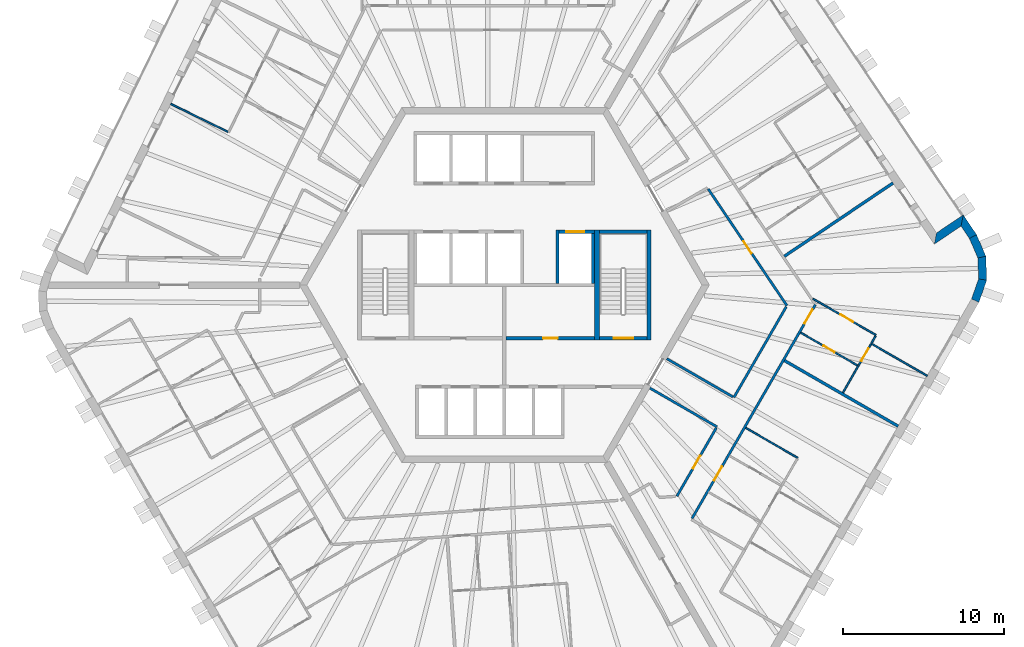
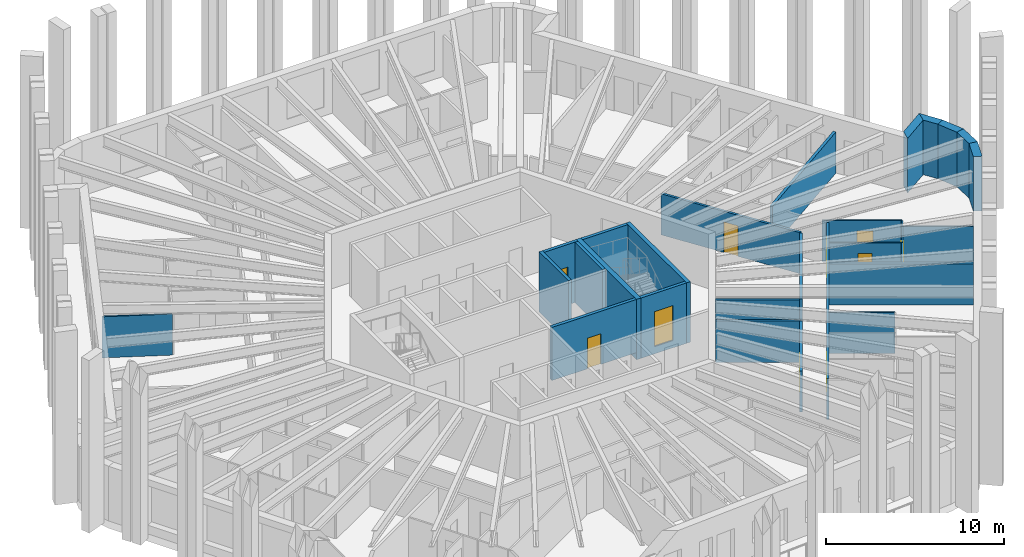
# One storey, part 7 of 13: 29 walls, 10 doors, 10 openings.
"""IFC4 building model written with IfcOpenShell, lengths in metres."""

from ifc_helpers import new_model, si_unit, direction, frame, frame_2d, origin, place, context, subcontext, project, spatial, polyline, rectangle, outline, extrude, material, layer, layer_set, type_object, element, fill, save


model = new_model("IFC4")

# Units and contexts
model_context = context("Model", 3, precision=1e-05, world=origin(), true_north=direction((0.0, 1.0)))
body_context = subcontext(model_context, "Body", "Model", "MODEL_VIEW")
ifc_project = project(units=[si_unit("LENGTHUNIT", "METRE"), si_unit("AREAUNIT", "SQUARE_METRE"), si_unit("VOLUMEUNIT", "CUBIC_METRE"), si_unit("PLANEANGLEUNIT", "RADIAN"), si_unit("MASSUNIT", "GRAM", prefix="KILO")], contexts=[model_context])

# Site, building, storey
site_placement = place(None, origin())
site = spatial("IfcSite", under=ifc_project, at=site_placement, CompositionType="ELEMENT")
building_placement = place(site_placement, origin())
building = spatial("IfcBuilding", under=site, at=building_placement, Name="Tarnside Tower", CompositionType="ELEMENT")
storey_placement = place(building_placement, frame((0.0, 0.0, 256.199951171875)))
storey = spatial("IfcBuildingStorey", under=building, at=storey_placement, Name="L61", CompositionType="ELEMENT", Elevation=256.199951171875)

# Wall
ifc_material_1 = material(Name="Gypsum board partition on steel studs", Category="steel")
ifc_layer_1 = layer(ifc_material_1, 0.10009765625)
ifc_layer_set_1 = layer_set([ifc_layer_1], Name="Bathroom wall 100")
wall_type_1 = type_object("IfcWallType", Name="Bathroom wall 100", PredefinedType="PARTITIONING", material=ifc_layer_set_1)
wall_1_placement = place(storey_placement, frame((14.9541015625, -8.8486328125, 0.0), z_axis=(0.0, 0.0, 1.0), x_axis=(0.866028424924, -0.499994767197, 0.0)))
element("IfcWall", 1, at=wall_1_placement, inside=storey, type_object=wall_type_1, Name="Bathroom wall 20141", PredefinedType="PARTITIONING", context=body_context, shape_type="SweptSolid", body=[
    extrude(rectangle(XDim=3.72509765625, YDim=0.10009765625, at=frame_2d((1.862548828125, 0.0))), origin(), (0.0, 0.0, 1.0), 2.823486328125),
])

# Wall, opening, door
wall_2_placement = place(storey_placement, frame((18.359619140625, -2.9501953125, 0.0), z_axis=(0.0, 0.0, 1.0), x_axis=(0.866019999656, -0.500009360108, 0.0)))
wall_2 = element("IfcWall", 2, at=wall_2_placement, inside=storey, type_object=wall_type_1, Name="Bathroom wall 20156", PredefinedType="PARTITIONING", context=body_context, shape_type="SweptSolid", body=[
    extrude(rectangle(XDim=4.125, YDim=0.10009765625, at=frame_2d((2.0625, 0.0))), origin(), (0.0, 0.0, 1.0), 2.823486328125),
])
opening_1_placement = place(wall_2_placement, frame((1.625, 0.0, 0.0)))
opening_1 = element("IfcOpeningElement", 3, at=opening_1_placement, cuts=wall_2, Name="Opening D-B1", PredefinedType="OPENING", context=body_context, shape_type="SweptSolid", body=[
    extrude(rectangle(XDim=0.800048828125, YDim=2.10009765625, at=frame_2d((0.39990234375, 1.050048828125))), frame((0.0, 0.06005859375, 0.0), z_axis=(0.0, -1.0, 0.0), x_axis=(1.0, 0.0, 0.0)), (0.0, 0.0, 1.0), 0.1201171875),
])
ifc_material_2 = material(Name="Timber door leaf", Category="wood")
door_type_1 = type_object("IfcDoorType", Name="Bathroom door 800", OperationType="NOTDEFINED", PredefinedType="DOOR", material=ifc_material_2)
door_1_placement = place(opening_1_placement, origin())
door_1 = element("IfcDoor", 4, at=door_1_placement, inside=storey, type_object=door_type_1, Name="Bathroom door 20062", OperationType="SINGLE_SWING_RIGHT", OverallHeight=2.10009765625, OverallWidth=0.800048828125, PredefinedType="DOOR", context=body_context, shape_type="SweptSolid", body=[
    extrude(rectangle(XDim=0.800048828125, YDim=2.10009765625, at=frame_2d((0.39990234375, 1.050048828125))), frame((0.0, 0.02490234375, 0.0), z_axis=(0.0, -1.0, 0.0), x_axis=(1.0, 0.0, 0.0)), (0.0, 0.0, 1.0), 0.050048828125),
])
fill(opening_1, door_1)

# Wall
wall_3_placement = place(storey_placement, frame((20.97705078125, -6.666748046875, 0.0), z_axis=(0.0, 0.0, 1.0), x_axis=(0.49994353734, 0.866058000062, 0.0)))
element("IfcWall", 5, at=wall_3_placement, inside=storey, type_object=wall_type_1, Name="Bathroom wall 20158", PredefinedType="PARTITIONING", context=body_context, shape_type="SweptSolid", body=[
    extrude(rectangle(XDim=1.911865234375, YDim=0.10009765625, at=frame_2d((0.9560546875, 0.0))), origin(), (0.0, 0.0, 1.0), 2.823486328125),
])

# Wall, opening, door
ifc_material_3 = material(Name="Concrete C40/50", Category="concrete")
ifc_layer_2 = layer(ifc_material_3, 0.199951171875)
ifc_layer_set_2 = layer_set([ifc_layer_2], Name="Core room partition 200 C40/50")
wall_type_2 = type_object("IfcWallType", Name="Core room partition 200 C40/50", PredefinedType="PARTITIONING", material=ifc_layer_set_2)
wall_4_placement = place(storey_placement, frame((0.10009765625, -3.300048828125, 0.0), z_axis=(0.0, 0.0, 1.0), x_axis=(1.0, 0.0, 0.0)))
wall_4 = element("IfcWall", 6, at=wall_4_placement, inside=storey, type_object=wall_type_2, Name="L61 core partition R3S1", PredefinedType="PARTITIONING", context=body_context, shape_type="SweptSolid", body=[
    extrude(rectangle(XDim=5.5, YDim=0.199951171875, at=frame_2d((2.75, 0.0))), origin(), (0.0, 0.0, 1.0), 3.650146484375),
])
opening_2_placement = place(wall_4_placement, frame((2.300048828125, 0.0, 0.0)))
opening_2 = element("IfcOpeningElement", 7, at=opening_2_placement, cuts=wall_4, Name="Opening CD-room", PredefinedType="OPENING", context=body_context, shape_type="SweptSolid", body=[
    extrude(rectangle(XDim=0.89990234375, YDim=2.10009765625, at=frame_2d((0.449951171875, 1.050048828125))), frame((0.0, 0.10986328125, 0.0), z_axis=(0.0, -1.0, 0.0), x_axis=(1.0, 0.0, 0.0)), (0.0, 0.0, 1.0), 0.219970703125),
])
ifc_material_4 = material(Name="Steel fire door", Category="steel")
door_type_2 = type_object("IfcDoorType", Name="Room door FD60 900x2100", OperationType="NOTDEFINED", PredefinedType="DOOR", material=ifc_material_4)
door_2_placement = place(opening_2_placement, origin())
door_2 = element("IfcDoor", 8, at=door_2_placement, inside=storey, type_object=door_type_2, Name="L61 core room door SR1", OperationType="SINGLE_SWING_LEFT", OverallHeight=2.10009765625, OverallWidth=0.89990234375, PredefinedType="DOOR", context=body_context, shape_type="SweptSolid", body=[
    extrude(rectangle(XDim=0.89990234375, YDim=2.10009765625, at=frame_2d((0.449951171875, 1.050048828125))), frame((0.0, 0.02490234375, 0.0), z_axis=(0.0, -1.0, 0.0), x_axis=(1.0, 0.0, 0.0)), (0.0, 0.0, 1.0), 0.050048828125),
])
fill(opening_2, door_2)

# Wall, openings, doors
ifc_layer_3 = layer(ifc_material_1, 0.14990234375)
ifc_layer_set_3 = layer_set([ifc_layer_3], Name="Corridor wall 150 EI 60")
wall_type_3 = type_object("IfcWallType", Name="Corridor wall 150 EI 60", PredefinedType="PARTITIONING", material=ifc_layer_set_3)
wall_5_placement = place(storey_placement, frame((11.626708984375, -14.4619140625, 0.0), z_axis=(0.0, 0.0, 1.0), x_axis=(0.499994634027, 0.866028501808, 0.0)))
wall_5 = element("IfcWall", 9, at=wall_5_placement, inside=storey, type_object=wall_type_3, Name="Corridor wall 20052", PredefinedType="PARTITIONING", context=body_context, shape_type="SweptSolid", body=[
    extrude(rectangle(XDim=15.296142578125, YDim=0.14990234375, at=frame_2d((7.64794921875, 0.0))), origin(), (0.0, 0.0, 1.0), 2.823486328125),
])
opening_3_placement = place(wall_5_placement, frame((2.72509765625, 0.0, 0.0)))
opening_3 = element("IfcOpeningElement", 10, at=opening_3_placement, cuts=wall_5, Name="Opening D-E1", PredefinedType="OPENING", context=body_context, shape_type="SweptSolid", body=[
    extrude(rectangle(XDim=1.0, YDim=2.10009765625, at=frame_2d((0.5, 1.050048828125))), frame((0.0, 0.0849609375, 0.0), z_axis=(0.0, -1.0, 0.0), x_axis=(1.0, 0.0, 0.0)), (0.0, 0.0, 1.0), 0.169921875),
])
opening_4_placement = place(wall_5_placement, frame((13.93603515625, 0.0, 0.0)))
opening_4 = element("IfcOpeningElement", 11, at=opening_4_placement, cuts=wall_5, Name="Opening D-E1", PredefinedType="OPENING", context=body_context, shape_type="SweptSolid", body=[
    extrude(rectangle(XDim=1.0, YDim=2.10009765625, at=frame_2d((0.5, 1.050048828125))), frame((0.0, 0.0849609375, 0.0), z_axis=(0.0, -1.0, 0.0), x_axis=(1.0, 0.0, 0.0)), (0.0, 0.0, 1.0), 0.169921875),
])
door_type_3 = type_object("IfcDoorType", Name="Unit entrance door 1000 FD30S", OperationType="NOTDEFINED", PredefinedType="DOOR", material=ifc_material_2)
door_3_placement = place(opening_3_placement, origin())
door_3 = element("IfcDoor", 12, at=door_3_placement, inside=storey, type_object=door_type_3, Name="Unit door 20050", OperationType="SINGLE_SWING_LEFT", OverallHeight=2.10009765625, OverallWidth=1.0, PredefinedType="DOOR", context=body_context, shape_type="SweptSolid", body=[
    extrude(rectangle(XDim=1.0, YDim=2.10009765625, at=frame_2d((0.5, 1.050048828125))), frame((0.0, 0.02490234375, 0.0), z_axis=(0.0, -1.0, 0.0), x_axis=(1.0, 0.0, 0.0)), (0.0, 0.0, 1.0), 0.050048828125),
])
fill(opening_3, door_3)
door_4_placement = place(opening_4_placement, origin())
door_4 = element("IfcDoor", 13, at=door_4_placement, inside=storey, type_object=door_type_3, Name="Unit door 20061", OperationType="SINGLE_SWING_LEFT", OverallHeight=2.10009765625, OverallWidth=1.0, PredefinedType="DOOR", context=body_context, shape_type="SweptSolid", body=[
    extrude(rectangle(XDim=1.0, YDim=2.10009765625, at=frame_2d((0.5, 1.050048828125))), frame((0.0, 0.02490234375, 0.0), z_axis=(0.0, -1.0, 0.0), x_axis=(1.0, 0.0, 0.0)), (0.0, 0.0, 1.0), 0.050048828125),
])
fill(opening_4, door_4)

# Wall, opening, door
wall_6_placement = place(storey_placement, frame((12.627197265625, 5.9580078125, 0.0), z_axis=(0.0, 0.0, 1.0), x_axis=(0.559185493191, -0.829042570804, 0.0)))
wall_6 = element("IfcWall", 14, at=wall_6_placement, inside=storey, type_object=wall_type_3, Name="Corridor wall 20070", PredefinedType="PARTITIONING", context=body_context, shape_type="SweptSolid", body=[
    extrude(rectangle(XDim=8.726806640625, YDim=0.14990234375, at=frame_2d((4.36328125, 0.0))), origin(), (0.0, 0.0, 1.0), 2.823486328125),
])
opening_5_placement = place(wall_6_placement, frame((3.913330078125, 0.0, 0.0)))
opening_5 = element("IfcOpeningElement", 15, at=opening_5_placement, cuts=wall_6, Name="Opening D-S1", PredefinedType="OPENING", context=body_context, shape_type="SweptSolid", body=[
    extrude(rectangle(XDim=0.89990234375, YDim=2.10009765625, at=frame_2d((0.449951171875, 1.050048828125))), frame((0.0, 0.0849609375, 0.0), z_axis=(0.0, -1.0, 0.0), x_axis=(1.0, 0.0, 0.0)), (0.0, 0.0, 1.0), 0.169921875),
])
door_type_4 = type_object("IfcDoorType", Name="Service room door 900 FD30S", OperationType="NOTDEFINED", PredefinedType="DOOR", material=ifc_material_2)
door_5_placement = place(opening_5_placement, origin())
door_5 = element("IfcDoor", 16, at=door_5_placement, inside=storey, type_object=door_type_4, Name="Service door 20075", OperationType="SINGLE_SWING_RIGHT", OverallHeight=2.10009765625, OverallWidth=0.89990234375, PredefinedType="DOOR", context=body_context, shape_type="SweptSolid", body=[
    extrude(rectangle(XDim=0.89990234375, YDim=2.10009765625, at=frame_2d((0.449951171875, 1.050048828125))), frame((0.0, 0.02490234375, 0.0), z_axis=(0.0, -1.0, 0.0), x_axis=(1.0, 0.0, 0.0)), (0.0, 0.0, 1.0), 0.050048828125),
])
fill(opening_5, door_5)

# Walls
wall_7_placement = place(storey_placement, frame((17.46533203125, -1.34912109375, 0.0), z_axis=(0.0, 0.0, 1.0), x_axis=(-0.500001610943, -0.866024473704, 0.0)))
element("IfcWall", 17, at=wall_7_placement, inside=storey, type_object=wall_type_3, Name="Corridor wall 20071", PredefinedType="PARTITIONING", context=body_context, shape_type="SweptSolid", body=[
    extrude(rectangle(XDim=6.4853515625, YDim=0.14990234375, at=frame_2d((3.24267578125, 0.0))), origin(), (0.0, 0.0, 1.0), 2.823486328125),
])
wall_8_placement = place(storey_placement, frame((14.15771484375, -6.92822265625, 0.0), z_axis=(0.0, 0.0, 1.0), x_axis=(-0.866024684746, 0.500001245408, 0.0)))
element("IfcWall", 18, at=wall_8_placement, inside=storey, type_object=wall_type_3, Name="Corridor wall 20072", PredefinedType="PARTITIONING", context=body_context, shape_type="SweptSolid", body=[
    extrude(rectangle(XDim=4.72509765625, YDim=0.14990234375, at=frame_2d((2.362548828125, 0.0))), origin(), (0.0, 0.0, 1.0), 2.823486328125),
])
wall_9_placement = place(storey_placement, frame((9.015625, -6.38427734375, 0.0), z_axis=(0.0, 0.0, 1.0), x_axis=(0.866015339567, -0.500017431331, 0.0)))
element("IfcWall", 19, at=wall_9_placement, inside=storey, type_object=wall_type_3, Name="Corridor wall 20073", PredefinedType="PARTITIONING", context=body_context, shape_type="SweptSolid", body=[
    extrude(rectangle(XDim=4.800048828125, YDim=0.14990234375, at=frame_2d((2.39990234375, 0.0))), origin(), (0.0, 0.0, 1.0), 2.823486328125),
])

# Wall, opening, door
wall_10_placement = place(storey_placement, frame((13.13525390625, -8.849365234375, 0.0), z_axis=(0.0, 0.0, 1.0), x_axis=(-0.500024829938, -0.866011067739, 0.0)))
wall_10 = element("IfcWall", 20, at=wall_10_placement, inside=storey, type_object=wall_type_3, Name="Corridor wall 20074", PredefinedType="PARTITIONING", context=body_context, shape_type="SweptSolid", body=[
    extrude(rectangle(XDim=4.892333984375, YDim=0.14990234375, at=frame_2d((2.4462890625, 0.0))), origin(), (0.0, 0.0, 1.0), 2.823486328125),
])
opening_6_placement = place(wall_10_placement, frame((1.996337890625, 0.0, 0.0)))
opening_6 = element("IfcOpeningElement", 21, at=opening_6_placement, cuts=wall_10, Name="Opening D-S1", PredefinedType="OPENING", context=body_context, shape_type="SweptSolid", body=[
    extrude(rectangle(XDim=0.89990234375, YDim=2.10009765625, at=frame_2d((0.449951171875, 1.050048828125))), frame((0.0, 0.0849609375, 0.0), z_axis=(0.0, -1.0, 0.0), x_axis=(1.0, 0.0, 0.0)), (0.0, 0.0, 1.0), 0.169921875),
])
door_6_placement = place(opening_6_placement, origin())
door_6 = element("IfcDoor", 22, at=door_6_placement, inside=storey, type_object=door_type_4, Name="Service door 20076", OperationType="SINGLE_SWING_LEFT", OverallHeight=2.10009765625, OverallWidth=0.89990234375, PredefinedType="DOOR", context=body_context, shape_type="SweptSolid", body=[
    extrude(rectangle(XDim=0.89990234375, YDim=2.10009765625, at=frame_2d((0.449951171875, 1.050048828125))), frame((0.0, 0.02490234375, 0.0), z_axis=(0.0, -1.0, 0.0), x_axis=(1.0, 0.0, 0.0)), (0.0, 0.0, 1.0), 0.050048828125),
])
fill(opening_6, door_6)

# Walls
ifc_layer_4 = layer(ifc_material_1, 0.179931640625)
ifc_layer_set_4 = layer_set([ifc_layer_4], Name="Demising wall 180 EI 60")
wall_type_4 = type_object("IfcWallType", Name="Demising wall 180 EI 60", PredefinedType="PARTITIONING", material=ifc_layer_set_4)
for number, where, z_axis, x_axis, name in (
    (23, (24.39599609375, -8.744873046875, 0.0), (0.0, 0.0, 1.0), (-0.866022959057, 0.500004234368, 0.0), "Demising wall 20143"),
    (24, (24.08154296875, 6.322509765625, 0.0), (0.0, 0.0, 1.0), (-0.829033253898, -0.55919930609, 0.0), "Demising wall 20154"),
):
    element("IfcWall", number, at=place(storey_placement, frame(where, z_axis=z_axis, x_axis=x_axis)), inside=storey, type_object=wall_type_4, Name=name, PredefinedType="PARTITIONING", context=body_context, shape_type="SweptSolid", body=[
        extrude(rectangle(XDim=8.125, YDim=0.179931640625, at=frame_2d((4.0625, 0.0))), origin(), (0.0, 0.0, 1.0), 2.823486328125),
    ])

# Wall, opening, door
ifc_layer_5 = layer(ifc_material_3, 0.199951171875)
ifc_layer_set_5 = layer_set([ifc_layer_5], Name="Lift shaft wall 200 C40/50")
wall_type_5 = type_object("IfcWallType", Name="Lift shaft wall 200 C40/50", PredefinedType="SHEAR", material=ifc_layer_set_5)
wall_11_placement = place(storey_placement, frame((3.39990234375, 3.300048828125, -0.5), z_axis=(0.0, 0.0, 1.0), x_axis=(1.0, 0.0, 0.0)))
wall_11 = element("IfcWall", 25, at=wall_11_placement, inside=storey, type_object=wall_type_5, Name="L61 lift shaft front wall R2 2", PredefinedType="SHEAR", context=body_context, shape_type="SweptSolid", body=[
    extrude(rectangle(XDim=2.2001953125, YDim=0.199951171875, at=frame_2d((1.10009765625, 0.0))), origin(), (0.0, 0.0, 1.0), 4.150146484375),
])
opening_7_placement = place(wall_11_placement, frame((0.449951171875, 0.0, 0.5)))
opening_7 = element("IfcOpeningElement", 26, at=opening_7_placement, cuts=wall_11, Name="Opening LD", PredefinedType="OPENING", context=body_context, shape_type="SweptSolid", body=[
    extrude(rectangle(XDim=1.10009765625, YDim=2.10009765625, at=frame_2d((0.550048828125, 1.050048828125))), frame((0.0, 0.10986328125, 0.0), z_axis=(0.0, -1.0, 0.0), x_axis=(1.0, 0.0, 0.0)), (0.0, 0.0, 1.0), 0.219970703125),
])
ifc_material_5 = material(Name="Stainless steel", Category="steel")
door_type_5 = type_object("IfcDoorType", Name="Lift landing door 1100x2100", OperationType="NOTDEFINED", PredefinedType="DOOR", material=ifc_material_5)
door_7_placement = place(opening_7_placement, origin())
door_7 = element("IfcDoor", 27, at=door_7_placement, inside=storey, type_object=door_type_5, Name="Express sky-lobby shuttle 2 landing door L61", OperationType="SLIDING_TO_LEFT", OverallHeight=2.10009765625, OverallWidth=1.10009765625, PredefinedType="DOOR", context=body_context, shape_type="SweptSolid", body=[
    extrude(rectangle(XDim=1.10009765625, YDim=2.10009765625, at=frame_2d((0.550048828125, 1.050048828125))), frame((0.0, 0.02490234375, 0.0), z_axis=(0.0, -1.0, 0.0), x_axis=(1.0, 0.0, 0.0)), (0.0, 0.0, 1.0), 0.050048828125),
])
fill(opening_7, door_7)

# Walls
wall_12_placement = place(storey_placement, frame((3.300048828125, 0.10009765625, -0.5), z_axis=(0.0, 0.0, 1.0), x_axis=(0.0, 1.0, 0.0)))
element("IfcWall", 28, at=wall_12_placement, inside=storey, type_object=wall_type_5, Name="L61 lift shaft partition R25", PredefinedType="SHEAR", context=body_context, shape_type="SweptSolid", body=[
    extrude(rectangle(XDim=3.2998046875, YDim=0.199951171875, at=frame_2d((1.64990234375, 0.0))), origin(), (0.0, 0.0, 1.0), 4.150146484375),
])
wall_13_placement = place(storey_placement, frame((5.5, 0.10009765625, -0.5), z_axis=(0.0, 0.0, 1.0), x_axis=(0.0, 1.0, 0.0)))
element("IfcWall", 29, at=wall_13_placement, inside=storey, type_object=wall_type_5, Name="L61 lift shaft partition R26", PredefinedType="SHEAR", context=body_context, shape_type="SweptSolid", body=[
    extrude(rectangle(XDim=3.099853515625, YDim=0.199951171875, at=frame_2d((1.5498046875, 0.0))), origin(), (0.0, 0.0, 1.0), 4.150146484375),
])
wall_14_placement = place(storey_placement, frame((5.89990234375, 3.300048828125, -0.5), z_axis=(0.0, 0.0, 1.0), x_axis=(1.0, 0.0, 0.0)))
element("IfcWall", 30, at=wall_14_placement, inside=storey, type_object=wall_type_5, Name="L61 stair 1 enclosure cap wall n", PredefinedType="SHEAR", context=body_context, shape_type="SweptSolid", body=[
    extrude(rectangle(XDim=2.9501953125, YDim=0.199951171875, at=frame_2d((1.47509765625, 0.0))), origin(), (0.0, 0.0, 1.0), 4.150146484375),
])

# Wall, opening, door
wall_15_placement = place(storey_placement, frame((5.89990234375, -3.300048828125, -0.5), z_axis=(0.0, 0.0, 1.0), x_axis=(1.0, 0.0, 0.0)))
wall_15 = element("IfcWall", 31, at=wall_15_placement, inside=storey, type_object=wall_type_5, Name="L61 stair 1 enclosure cap wall s", PredefinedType="SHEAR", context=body_context, shape_type="SweptSolid", body=[
    extrude(rectangle(XDim=2.9501953125, YDim=0.199951171875, at=frame_2d((1.47509765625, 0.0))), origin(), (0.0, 0.0, 1.0), 4.150146484375),
])
opening_8_placement = place(wall_15_placement, frame((0.875, 0.0, 0.5)))
opening_8 = element("IfcOpeningElement", 32, at=opening_8_placement, cuts=wall_15, Name="Opening CD-STR", PredefinedType="OPENING", context=body_context, shape_type="SweptSolid", body=[
    extrude(rectangle(XDim=1.199951171875, YDim=2.39990234375, at=frame_2d((0.60009765625, 1.199951171875))), frame((0.0, 0.10986328125, 0.0), z_axis=(0.0, -1.0, 0.0), x_axis=(1.0, 0.0, 0.0)), (0.0, 0.0, 1.0), 0.219970703125),
])
door_type_6 = type_object("IfcDoorType", Name="Stair door FD60S 1200x2400", OperationType="NOTDEFINED", PredefinedType="DOOR", material=ifc_material_4)
door_8_placement = place(opening_8_placement, origin())
door_8 = element("IfcDoor", 33, at=door_8_placement, inside=storey, type_object=door_type_6, Name="L61 stair 1 door", OperationType="SINGLE_SWING_LEFT", OverallHeight=2.39990234375, OverallWidth=1.199951171875, PredefinedType="DOOR", context=body_context, shape_type="SweptSolid", body=[
    extrude(rectangle(XDim=1.199951171875, YDim=2.39990234375, at=frame_2d((0.60009765625, 1.199951171875))), frame((0.0, 0.02490234375, 0.0), z_axis=(0.0, -1.0, 0.0), x_axis=(1.0, 0.0, 0.0)), (0.0, 0.0, 1.0), 0.050048828125),
])
fill(opening_8, door_8)

# Walls
ifc_material_6 = material(Name="Dark zinc cladding")
ifc_layer_6 = layer(ifc_material_6, 0.10205078125)
ifc_material_7 = material(Name="Concrete C60/75 precast", Category="concrete")
ifc_layer_7 = layer(ifc_material_7, 0.298095703125)
ifc_material_8 = material(Name="Mineral wool insulation")
ifc_layer_8 = layer(ifc_material_8, 0.10009765625)
ifc_layer_set_6 = layer_set([ifc_layer_6, ifc_layer_7, ifc_layer_8], Name="Loggia wall 500 zinc faced")
wall_type_6 = type_object("IfcWallType", Name="Loggia wall 500 zinc faced", PredefinedType="SOLIDWALL", material=ifc_layer_set_6)
wall_16_placement = place(storey_placement, frame((29.034912109375, 3.00244140625, 0.0), z_axis=(0.0, 0.0, 1.0), x_axis=(-0.559200218553, 0.829032638423, 0.0)))
element("IfcWall", 34, at=wall_16_placement, inside=storey, type_object=wall_type_6, Name="Tube wall L61 F6 stub 28", PredefinedType="SOLIDWALL", context=body_context, shape_type="SweptSolid", body=[
    extrude(outline(polyline([(-0.0234375, -0.25), (1.44970703125, -0.25), (0.94970703125, 0.25), (0.0234375, 0.25), (-0.0234375, -0.25)])), origin(), (0.0, 0.0, 1.0), 3.75),
])
wall_17_placement = place(storey_placement, frame((28.364013671875, 3.9970703125, 0.0), z_axis=(0.0, 0.0, 1.0), x_axis=(-0.829108975345, -0.5590870299, 0.0)))
element("IfcWall", 35, at=wall_17_placement, inside=storey, type_object=wall_type_6, Name="Tube wall L61 F6 return 29", PredefinedType="SOLIDWALL", context=body_context, shape_type="SweptSolid", body=[
    extrude(outline(polyline([(-0.25, -0.25), (1.75, -0.25), (2.25, 0.25), (0.25, 0.25), (-0.25, -0.25)])), origin(), (0.0, 0.0, 1.0), 3.75),
])
ifc_layer_9 = layer(ifc_material_1, 0.10009765625)
ifc_layer_set_7 = layer_set([ifc_layer_9], Name="Partition 100")
wall_type_7 = type_object("IfcWallType", Name="Partition 100", PredefinedType="PARTITIONING", material=ifc_layer_set_7)
wall_18_placement = place(storey_placement, frame((-17.122314453125, 9.4912109375, 0.0), z_axis=(0.0, 0.0, 1.0), x_axis=(-0.89879695829, 0.438365176273, 0.0)))
element("IfcWall", 36, at=wall_18_placement, inside=storey, type_object=wall_type_7, Name="Partition wall 20100", PredefinedType="PARTITIONING", context=body_context, shape_type="SweptSolid", body=[
    extrude(rectangle(XDim=3.94970703125, YDim=0.10009765625, at=frame_2d((1.974853515625, 0.0))), origin(), (0.0, 0.0, 1.0), 2.823486328125),
])

# Wall, opening, door
wall_19_placement = place(storey_placement, frame((19.1171875, -0.84716796875, 0.0), z_axis=(0.0, 0.0, 1.0), x_axis=(0.866020997002, -0.500007632694, 0.0)))
wall_19 = element("IfcWall", 37, at=wall_19_placement, inside=storey, type_object=wall_type_7, Name="Partition wall 20151", PredefinedType="PARTITIONING", context=body_context, shape_type="SweptSolid", body=[
    extrude(rectangle(XDim=4.5205078125, YDim=0.10009765625, at=frame_2d((2.26025390625, 0.0))), origin(), (0.0, 0.0, 1.0), 2.823486328125),
])
opening_9_placement = place(wall_19_placement, frame((1.970458984375, 0.0, 0.0)))
opening_9 = element("IfcOpeningElement", 38, at=opening_9_placement, cuts=wall_19, Name="Opening D-I1", PredefinedType="OPENING", context=body_context, shape_type="SweptSolid", body=[
    extrude(rectangle(XDim=0.89990234375, YDim=2.10009765625, at=frame_2d((0.449951171875, 1.050048828125))), frame((0.0, 0.06005859375, 0.0), z_axis=(0.0, -1.0, 0.0), x_axis=(1.0, 0.0, 0.0)), (0.0, 0.0, 1.0), 0.1201171875),
])
door_type_7 = type_object("IfcDoorType", Name="Internal door 900", OperationType="NOTDEFINED", PredefinedType="DOOR", material=ifc_material_2)
door_9_placement = place(opening_9_placement, origin())
door_9 = element("IfcDoor", 39, at=door_9_placement, inside=storey, type_object=door_type_7, Name="Internal door 20063", OperationType="SINGLE_SWING_LEFT", OverallHeight=2.10009765625, OverallWidth=0.89990234375, PredefinedType="DOOR", context=body_context, shape_type="SweptSolid", body=[
    extrude(rectangle(XDim=0.89990234375, YDim=2.10009765625, at=frame_2d((0.449951171875, 1.050048828125))), frame((0.0, 0.02490234375, 0.0), z_axis=(0.0, -1.0, 0.0), x_axis=(1.0, 0.0, 0.0)), (0.0, 0.0, 1.0), 0.050048828125),
])
fill(opening_9, door_9)

# Walls
wall_20_placement = place(storey_placement, frame((23.0068359375, -3.15087890625, 0.0), z_axis=(0.0, 0.0, 1.0), x_axis=(-0.499850094852, -0.866111934265, 0.0)))
element("IfcWall", 40, at=wall_20_placement, inside=storey, type_object=wall_type_7, Name="Partition wall 20152", PredefinedType="PARTITIONING", context=body_context, shape_type="SweptSolid", body=[
    extrude(rectangle(XDim=0.552001953125, YDim=0.10009765625, at=frame_2d((0.27587890625, 0.0))), origin(), (0.0, 0.0, 1.0), 2.823486328125),
])
wall_21_placement = place(storey_placement, frame((22.775146484375, -3.652099609375, 0.0), z_axis=(0.0, 0.0, 1.0), x_axis=(0.866020906874, -0.500007788796, 0.0)))
element("IfcWall", 41, at=wall_21_placement, inside=storey, type_object=wall_type_7, Name="Partition wall 20153", PredefinedType="PARTITIONING", context=body_context, shape_type="SweptSolid", body=[
    extrude(rectangle(XDim=3.9501953125, YDim=0.10009765625, at=frame_2d((1.97509765625, 0.0))), origin(), (0.0, 0.0, 1.0), 2.823486328125),
])

# Wall, opening, door
wall_22_placement = place(storey_placement, frame((21.9560546875, -4.97119140625, 0.0), z_axis=(0.0, 0.0, 1.0), x_axis=(0.499985098601, 0.86603400694, 0.0)))
wall_22 = element("IfcWall", 42, at=wall_22_placement, inside=storey, type_object=wall_type_7, Name="Partition wall 20157", PredefinedType="PARTITIONING", context=body_context, shape_type="SweptSolid", body=[
    extrude(rectangle(XDim=1.501953125, YDim=0.10009765625, at=frame_2d((0.7509765625, 0.0))), origin(), (0.0, 0.0, 1.0), 2.823486328125),
])
opening_10_placement = place(wall_22_placement, frame((0.302001953125, 0.0, 0.0)))
opening_10 = element("IfcOpeningElement", 43, at=opening_10_placement, cuts=wall_22, Name="Opening D-I1", PredefinedType="OPENING", context=body_context, shape_type="SweptSolid", body=[
    extrude(rectangle(XDim=0.89990234375, YDim=2.10009765625, at=frame_2d((0.449951171875, 1.050048828125))), frame((0.0, 0.06005859375, 0.0), z_axis=(0.0, -1.0, 0.0), x_axis=(1.0, 0.0, 0.0)), (0.0, 0.0, 1.0), 0.1201171875),
])
door_10_placement = place(opening_10_placement, origin())
door_10 = element("IfcDoor", 44, at=door_10_placement, inside=storey, type_object=door_type_7, Name="Internal door 20064", OperationType="SINGLE_SWING_RIGHT", OverallHeight=2.10009765625, OverallWidth=0.89990234375, PredefinedType="DOOR", context=body_context, shape_type="SweptSolid", body=[
    extrude(rectangle(XDim=0.89990234375, YDim=2.10009765625, at=frame_2d((0.449951171875, 1.050048828125))), frame((0.0, 0.02490234375, 0.0), z_axis=(0.0, -1.0, 0.0), x_axis=(1.0, 0.0, 0.0)), (0.0, 0.0, 1.0), 0.050048828125),
])
fill(opening_10, door_10)

# Walls
ifc_layer_10 = layer(ifc_material_3, 0.25)
ifc_layer_set_8 = layer_set([ifc_layer_10], Name="Stair enclosure wall 250 C40/50")
wall_type_8 = type_object("IfcWallType", Name="Stair enclosure wall 250 C40/50", PredefinedType="SHEAR", material=ifc_layer_set_8)
wall_23_placement = place(storey_placement, frame((8.97509765625, -3.39990234375, -0.5), z_axis=(0.0, 0.0, 1.0), x_axis=(0.0, 1.0, 0.0)))
element("IfcWall", 45, at=wall_23_placement, inside=storey, type_object=wall_type_8, Name="L61 stair 1 enclosure wall outer", PredefinedType="SHEAR", context=body_context, shape_type="SweptSolid", body=[
    extrude(rectangle(XDim=6.7998046875, YDim=0.25, at=frame_2d((3.39990234375, 0.0))), origin(), (0.0, 0.0, 1.0), 4.150146484375),
])
ifc_layer_11 = layer(ifc_material_3, 0.300048828125)
ifc_layer_set_9 = layer_set([ifc_layer_11], Name="Stair enclosure wall 300 C40/50")
wall_type_9 = type_object("IfcWallType", Name="Stair enclosure wall 300 C40/50", PredefinedType="SHEAR", material=ifc_layer_set_9)
wall_24_placement = place(storey_placement, frame((5.75, -3.39990234375, -0.5), z_axis=(0.0, 0.0, 1.0), x_axis=(0.0, 1.0, 0.0)))
element("IfcWall", 46, at=wall_24_placement, inside=storey, type_object=wall_type_9, Name="L61 stair 1 enclosure wall inner", PredefinedType="SHEAR", context=body_context, shape_type="SweptSolid", body=[
    extrude(rectangle(XDim=6.7998046875, YDim=0.300048828125, at=frame_2d((3.39990234375, 0.0))), origin(), (0.0, 0.0, 1.0), 4.150146484375),
])
ifc_material_9 = material(Name="Facing brick", Category="masonry")
ifc_layer_12 = layer(ifc_material_9, 0.10205078125)
ifc_layer_13 = layer(ifc_material_7, 0.298095703125)
ifc_layer_14 = layer(ifc_material_8, 0.10009765625)
ifc_layer_set_10 = layer_set([ifc_layer_12, ifc_layer_13, ifc_layer_14], Name="Tube wall 500 brick faced")
wall_type_10 = type_object("IfcWallType", Name="Tube wall 500 brick faced", PredefinedType="SOLIDWALL", material=ifc_layer_set_10)
wall_25_placement = place(storey_placement, frame((29.173828125, -0.9697265625, 0.0), z_axis=(0.0, 0.0, 1.0), x_axis=(0.330961348063, 0.943644311215, 0.0)))
element("IfcWall", 47, at=wall_25_placement, inside=storey, type_object=wall_type_10, Name="Tube wall L61 F5 chord 25", PredefinedType="SOLIDWALL", context=body_context, shape_type="SweptSolid", body=[
    extrude(outline(polyline([(-0.0234375, -0.25), (1.435302734375, -0.25), (1.341064453125, 0.25), (0.0234375, 0.25), (-0.0234375, -0.25)])), origin(), (0.0, 0.0, 1.0), 3.75),
])
wall_26_placement = place(storey_placement, frame((29.63330078125, 0.34033203125, 0.0), z_axis=(0.0, 0.0, 1.0), x_axis=(-0.034825746769, 0.999393399699, 0.0)))
element("IfcWall", 48, at=wall_26_placement, inside=storey, type_object=wall_type_10, Name="Tube wall L61 F5 chord 26", PredefinedType="SOLIDWALL", context=body_context, shape_type="SweptSolid", body=[
    extrude(outline(polyline([(-0.047119140625, -0.25), (1.43505859375, -0.25), (1.3408203125, 0.25), (0.047119140625, 0.25), (-0.047119140625, -0.25)])), origin(), (0.0, 0.0, 1.0), 3.75),
])
wall_27_placement = place(storey_placement, frame((29.5849609375, 1.7275390625, 0.0), z_axis=(0.0, 0.0, 1.0), x_axis=(-0.396146339195, 0.918187387162, 0.0)))
element("IfcWall", 49, at=wall_27_placement, inside=storey, type_object=wall_type_10, Name="Tube wall L61 F5 chord 27", PredefinedType="SOLIDWALL", context=body_context, shape_type="SweptSolid", body=[
    extrude(outline(polyline([(-0.047119140625, -0.25), (1.411865234375, -0.25), (1.364990234375, 0.25), (0.047119140625, 0.25), (-0.047119140625, -0.25)])), origin(), (0.0, 0.0, 1.0), 3.75),
])

save(model, "model.ifc")
